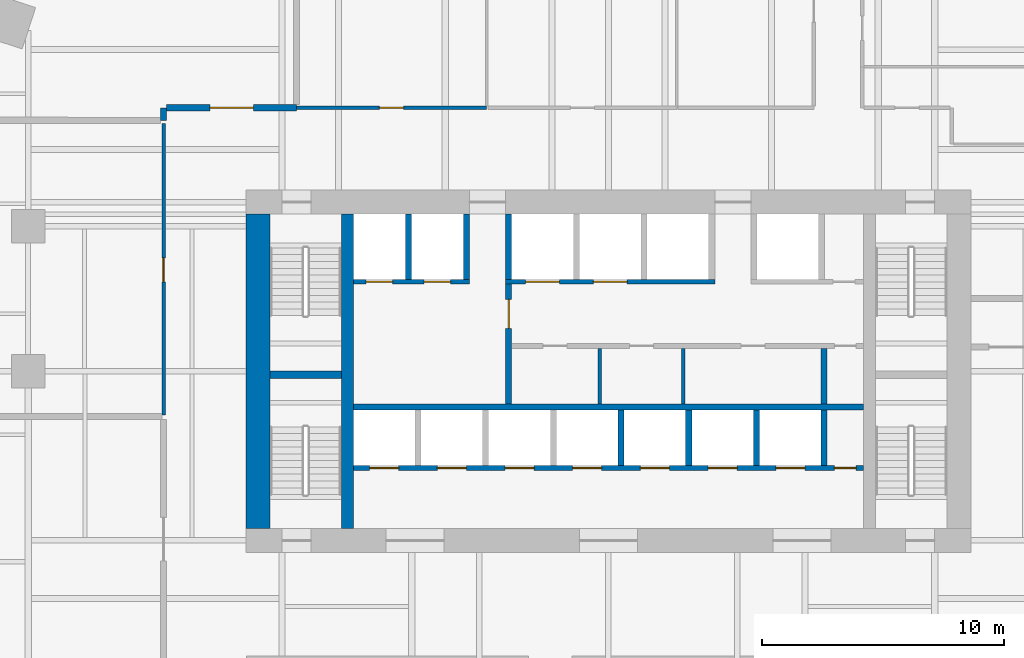
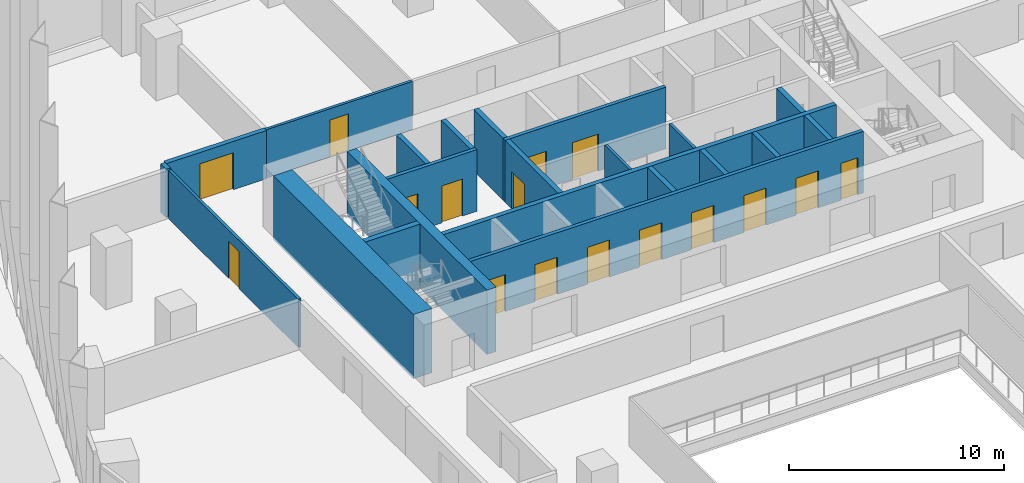
# One storey, part 25 of 51: 22 walls, 16 doors, 16 openings.
"""IFC4 building model written with IfcOpenShell, lengths in metres."""

from ifc_helpers import new_model, si_unit, direction, frame, frame_2d, origin, place, context, subcontext, project, spatial, rectangle, extrude, material, layer, layer_set, type_object, element, fill, save


model = new_model("IFC4")

# Units and contexts
model_context = context("Model", 3, precision=1e-05, world=origin(), true_north=direction((0.0, 1.0)))
body_context = subcontext(model_context, "Body", "Model", "MODEL_VIEW")
ifc_project = project(units=[si_unit("LENGTHUNIT", "METRE"), si_unit("AREAUNIT", "SQUARE_METRE"), si_unit("VOLUMEUNIT", "CUBIC_METRE"), si_unit("PLANEANGLEUNIT", "RADIAN"), si_unit("MASSUNIT", "GRAM", prefix="KILO")], contexts=[model_context])

# Site, building, storey
site_placement = place(None, origin())
site = spatial("IfcSite", under=ifc_project, at=site_placement, CompositionType="ELEMENT")
building_placement = place(site_placement, origin())
building = spatial("IfcBuilding", under=site, at=building_placement, Name="Isthmus Gate Tower", CompositionType="ELEMENT")
storey_placement = place(building_placement, frame((0.0, 0.0, 36.0)))
storey = spatial("IfcBuildingStorey", under=building, at=storey_placement, Name="L06", CompositionType="ELEMENT", Elevation=36.0)

# Wall
ifc_material_1 = material(Name="Double-leaf acoustic stud wall, fire-rated", Category="gypsum")
ifc_layer_1 = layer(ifc_material_1, 0.25)
ifc_layer_set_1 = layer_set([ifc_layer_1], Name="ACOUSTIC WALL 250 60 MIN")
wall_type_1 = type_object("IfcWallType", Name="ACOUSTIC WALL 250 60 MIN", PredefinedType="PARTITIONING", material=ifc_layer_set_1)
wall_1_placement = place(storey_placement, frame((-18.39990234375, 17.881103515625, 0.0), z_axis=(0.0, 0.0, 1.0), x_axis=(0.0, 1.0, 0.0)))
element("IfcWall", 1, at=wall_1_placement, inside=storey, type_object=wall_type_1, Name="L06 Acoustic Wall 250 60 Min", PredefinedType="PARTITIONING", context=body_context, shape_type="SweptSolid", body=[
    extrude(rectangle(XDim=0.518798828125, YDim=0.25, at=frame_2d((0.25927734375, 0.0))), origin(), (0.0, 0.0, 1.0), 2.7412109375),
])

# Wall, opening, door
wall_2_placement = place(storey_placement, frame((-18.27490234375, 18.39990234375, 0.0), z_axis=(0.0, 0.0, 1.0), x_axis=(1.0, 0.0, 0.0)))
wall_2 = element("IfcWall", 2, at=wall_2_placement, inside=storey, type_object=wall_type_1, Name="L06 Acoustic Wall 250 60 Min", PredefinedType="PARTITIONING", context=body_context, shape_type="SweptSolid", body=[
    extrude(rectangle(XDim=5.369873046875, YDim=0.25, at=frame_2d((2.68505859375, 0.0))), origin(), (0.0, 0.0, 1.0), 2.7412109375),
])
opening_1_placement = place(wall_2_placement, frame((1.784912109375, 0.0, 0.0)))
opening_1 = element("IfcOpeningElement", 3, at=opening_1_placement, cuts=wall_2, Name="Opening DT-T1A-01", PredefinedType="OPENING", context=body_context, shape_type="SweptSolid", body=[
    extrude(rectangle(XDim=1.800048828125, YDim=2.10009765625, at=frame_2d((0.89990234375, 1.050048828125))), frame((0.0, 0.135009765625, 0.0), z_axis=(0.0, -1.0, 0.0), x_axis=(1.0, 0.0, 0.0)), (0.0, 0.0, 1.0), 0.27001953125),
])
ifc_material_2 = material(Name="Solid core timber door leaf, fire-rated", Category="wood")
door_type_1 = type_object("IfcDoorType", Name="FIRE DOOR ACOUSTIC ROOM 1800 X 2100 60 MIN", OperationType="DOUBLE_DOOR_DOUBLE_SWING", PredefinedType="DOOR", material=ifc_material_2)
door_1_placement = place(opening_1_placement, origin())
door_1 = element("IfcDoor", 4, at=door_1_placement, inside=storey, type_object=door_type_1, Name="L06 room door", OperationType="DOUBLE_DOOR_DOUBLE_SWING", OverallHeight=2.10009765625, OverallWidth=1.800048828125, PredefinedType="DOOR", context=body_context, shape_type="SweptSolid", body=[
    extrude(rectangle(XDim=1.800048828125, YDim=2.10009765625, at=frame_2d((0.89990234375, 1.050048828125))), frame((0.0, 0.02490234375, 0.0), z_axis=(0.0, -1.0, 0.0), x_axis=(1.0, 0.0, 0.0)), (0.0, 0.0, 1.0), 0.050048828125),
])
fill(opening_1, door_1)

ifc_material_3 = material(Name="Gypsum board on steel studs, fire-rated", Category="steel")
ifc_layer_2 = layer(ifc_material_3, 0.14990234375)
ifc_layer_set_2 = layer_set([ifc_layer_2], Name="CORRIDOR WALL 150 60 MIN")
wall_type_2 = type_object("IfcWallType", Name="CORRIDOR WALL 150 60 MIN", PredefinedType="PARTITIONING", material=ifc_layer_set_2)
wall_3_placement = place(storey_placement, frame((-12.905029296875, 18.39990234375, 0.0), z_axis=(0.0, 0.0, 1.0), x_axis=(1.0, 0.0, 0.0)))
wall_3 = element("IfcWall", 5, at=wall_3_placement, inside=storey, type_object=wall_type_2, Name="L06 Corridor Wall 150 60 Min", PredefinedType="PARTITIONING", context=body_context, shape_type="SweptSolid", body=[
    extrude(rectangle(XDim=7.867919921875, YDim=0.14990234375, at=frame_2d((3.93408203125, 0.0))), origin(), (0.0, 0.0, 1.0), 2.7412109375),
])
opening_2_placement = place(wall_3_placement, frame((3.43408203125, 0.0, 0.0)))
opening_2 = element("IfcOpeningElement", 6, at=opening_2_placement, cuts=wall_3, Name="Opening DT-T1A-02", PredefinedType="OPENING", context=body_context, shape_type="SweptSolid", body=[
    extrude(rectangle(XDim=1.0, YDim=2.10009765625, at=frame_2d((0.5, 1.050048828125))), frame((0.0, 0.0849609375, 0.0), z_axis=(0.0, -1.0, 0.0), x_axis=(1.0, 0.0, 0.0)), (0.0, 0.0, 1.0), 0.169921875),
])
ifc_material_4 = material(Name="Solid core timber door leaf, fire-rated", Category="wood")
door_type_2 = type_object("IfcDoorType", Name="FIRE DOOR ROOM 1000 X 2100 60 MIN", OperationType="SINGLE_SWING_LEFT", PredefinedType="DOOR", material=ifc_material_4)
door_2_placement = place(opening_2_placement, origin())
door_2 = element("IfcDoor", 7, at=door_2_placement, inside=storey, type_object=door_type_2, Name="L06 room door", OperationType="SINGLE_SWING_RIGHT", OverallHeight=2.10009765625, OverallWidth=1.0, PredefinedType="DOOR", context=body_context, shape_type="SweptSolid", body=[
    extrude(rectangle(XDim=1.0, YDim=2.10009765625, at=frame_2d((0.5, 1.050048828125))), frame((0.0, 0.02490234375, 0.0), z_axis=(0.0, -1.0, 0.0), x_axis=(1.0, 0.0, 0.0)), (0.0, 0.0, 1.0), 0.050048828125),
])
fill(opening_2, door_2)

wall_4_placement = place(storey_placement, frame((-18.39990234375, 5.679931640625, 0.0), z_axis=(0.0, 0.0, 1.0), x_axis=(0.0, 1.0, 0.0)))
wall_4 = element("IfcWall", 8, at=wall_4_placement, inside=storey, type_object=wall_type_2, Name="L06 Corridor Wall 150 60 Min", PredefinedType="PARTITIONING", context=body_context, shape_type="SweptSolid", body=[
    extrude(rectangle(XDim=12.076171875, YDim=0.14990234375, at=frame_2d((6.0380859375, 0.0))), origin(), (0.0, 0.0, 1.0), 2.7412109375),
])
opening_3_placement = place(wall_4_placement, frame((5.512939453125, 0.0, 0.0)))
opening_3 = element("IfcOpeningElement", 9, at=opening_3_placement, cuts=wall_4, Name="Opening DT-T1A-07", PredefinedType="OPENING", context=body_context, shape_type="SweptSolid", body=[
    extrude(rectangle(XDim=1.0, YDim=2.10009765625, at=frame_2d((0.5, 1.050048828125))), frame((0.0, 0.0849609375, 0.0), z_axis=(0.0, -1.0, 0.0), x_axis=(1.0, 0.0, 0.0)), (0.0, 0.0, 1.0), 0.169921875),
])
door_3_placement = place(opening_3_placement, origin())
door_3 = element("IfcDoor", 10, at=door_3_placement, inside=storey, type_object=door_type_2, Name="L06 room door", OperationType="SINGLE_SWING_RIGHT", OverallHeight=2.10009765625, OverallWidth=1.0, PredefinedType="DOOR", context=body_context, shape_type="SweptSolid", body=[
    extrude(rectangle(XDim=1.0, YDim=2.10009765625, at=frame_2d((0.5, 1.050048828125))), frame((0.0, 0.02490234375, 0.0), z_axis=(0.0, -1.0, 0.0), x_axis=(1.0, 0.0, 0.0)), (0.0, 0.0, 1.0), 0.050048828125),
])
fill(opening_3, door_3)

ifc_material_5 = material(Name="Fire-rated blockwork masonry, 15 MPa", Category="masonry")
ifc_layer_3 = layer(ifc_material_5, 0.25)
ifc_layer_set_3 = layer_set([ifc_layer_3], Name="FIRE-FIGHTING LOBBY WALL 250 90 MIN")
wall_type_3 = type_object("IfcWallType", Name="FIRE-FIGHTING LOBBY WALL 250 90 MIN", PredefinedType="PARTITIONING", material=ifc_layer_set_3)
wall_5_placement = place(storey_placement, frame((-4.125, 6.14990234375, 0.0), z_axis=(0.0, 0.0, 1.0), x_axis=(0.0, 1.0, 0.0)))
wall_5 = element("IfcWall", 11, at=wall_5_placement, inside=storey, type_object=wall_type_3, Name="L06 FIRE-FIGHTING LOBBY WALL 250 90 MIN", PredefinedType="PARTITIONING", context=body_context, shape_type="SweptSolid", body=[
    extrude(rectangle(XDim=4.9501953125, YDim=0.25, at=frame_2d((2.47509765625, 0.0))), origin(), (0.0, 0.0, 1.0), 3.5),
])
opening_4_placement = place(wall_5_placement, frame((3.125, 0.0, 0.0)))
opening_4 = element("IfcOpeningElement", 12, at=opening_4_placement, cuts=wall_5, Name="Opening DC-A03-01", PredefinedType="OPENING", context=body_context, shape_type="SweptSolid", body=[
    extrude(rectangle(XDim=1.199951171875, YDim=2.10009765625, at=frame_2d((0.60009765625, 1.050048828125))), frame((0.0, 0.135009765625, 0.0), z_axis=(0.0, -1.0, 0.0), x_axis=(1.0, 0.0, 0.0)), (0.0, 0.0, 1.0), 0.27001953125),
])
ifc_material_6 = material(Name="Steel door leaf, fire-rated", Category="steel")
door_type_3 = type_object("IfcDoorType", Name="LOBBY FIRE DOOR 1200 X 2100 90 MIN", OperationType="DOUBLE_DOOR_SINGLE_SWING", PredefinedType="DOOR", material=ifc_material_6)
door_4_placement = place(opening_4_placement, origin())
door_4 = element("IfcDoor", 13, at=door_4_placement, inside=storey, type_object=door_type_3, Name="Fire-fighting Lobby Door", OperationType="SINGLE_SWING_LEFT", OverallHeight=2.10009765625, OverallWidth=1.199951171875, PredefinedType="DOOR", context=body_context, shape_type="SweptSolid", body=[
    extrude(rectangle(XDim=1.199951171875, YDim=2.10009765625, at=frame_2d((0.60009765625, 1.050048828125))), frame((0.0, 0.02490234375, 0.0), z_axis=(0.0, -1.0, 0.0), x_axis=(1.0, 0.0, 0.0)), (0.0, 0.0, 1.0), 0.050048828125),
])
fill(opening_4, door_4)

# Walls
ifc_material_7 = material(Name="Concrete f'c 70 MPa", Category="concrete")
ifc_layer_4 = layer(ifc_material_7, 0.5)
ifc_layer_set_4 = layer_set([ifc_layer_4], Name="RC CORE SPINE WALL 500 F'C 70")
wall_type_4 = type_object("IfcWallType", Name="RC CORE SPINE WALL 500 F'C 70", PredefinedType="SOLIDWALL", material=ifc_layer_set_4)
wall_6_placement = place(storey_placement, frame((-10.800048828125, 1.0, -0.14990234375), z_axis=(0.0, 0.0, 1.0), x_axis=(0.0, 1.0, 0.0)))
element("IfcWall", 14, at=wall_6_placement, inside=storey, type_object=wall_type_4, Name="str-corewall-L06-SPW", PredefinedType="SOLIDWALL", context=body_context, shape_type="SweptSolid", body=[
    extrude(rectangle(XDim=13.0, YDim=0.5, at=frame_2d((6.5, 0.0))), origin(), (0.0, 0.0, 1.0), 3.64990234375),
])
ifc_material_8 = material(Name="Concrete f'c 70 MPa", Category="concrete")
ifc_layer_5 = layer(ifc_material_8, 1.0)
ifc_layer_set_5 = layer_set([ifc_layer_5], Name="RC CORE WALL 1000 F'C 70")
wall_type_5 = type_object("IfcWallType", Name="RC CORE WALL 1000 F'C 70", PredefinedType="SOLIDWALL", material=ifc_layer_set_5)
wall_7_placement = place(storey_placement, frame((-14.5, 1.0, -0.14990234375), z_axis=(0.0, 0.0, 1.0), x_axis=(0.0, 1.0, 0.0)))
element("IfcWall", 15, at=wall_7_placement, inside=storey, type_object=wall_type_5, Name="str-corewall-L06-W", PredefinedType="SOLIDWALL", context=body_context, shape_type="SweptSolid", body=[
    extrude(rectangle(XDim=13.0, YDim=1.0, at=frame_2d((6.5, 0.0))), origin(), (0.0, 0.0, 1.0), 3.64990234375),
])
ifc_material_9 = material(Name="Gypsum board on steel studs, fire-rated", Category="steel")
ifc_layer_6 = layer(ifc_material_9, 0.14990234375)
ifc_layer_set_6 = layer_set([ifc_layer_6], Name="ROOM PARTITION 150 60 MIN")
wall_type_6 = type_object("IfcWallType", Name="ROOM PARTITION 150 60 MIN", PredefinedType="PARTITIONING", material=ifc_layer_set_6)
for number, where, z_axis, x_axis, name in (
    (16, (-0.35009765625, 6.14990234375, 0.0), (0.0, 0.0, 1.0), (0.0, 1.0, 0.0), "L06 ROOM PARTITION 150 60 MIN"),
    (17, (3.10009765625, 6.14990234375, 0.0), (0.0, 0.0, 1.0), (0.0, 1.0, 0.0), "L06 ROOM PARTITION 150 60 MIN"),
):
    element("IfcWall", number, at=place(storey_placement, frame(where, z_axis=z_axis, x_axis=x_axis)), inside=storey, type_object=wall_type_6, Name=name, PredefinedType="PARTITIONING", context=body_context, shape_type="SweptSolid", body=[
        extrude(rectangle(XDim=2.300048828125, YDim=0.14990234375, at=frame_2d((1.14990234375, 0.0))), origin(), (0.0, 0.0, 1.0), 3.5),
    ])

# Wall, openings, doors
ifc_material_10 = material(Name="Fire-rated blockwork masonry, 15 MPa", Category="masonry")
ifc_layer_7 = layer(ifc_material_10, 0.199951171875)
ifc_layer_set_7 = layer_set([ifc_layer_7], Name="SHAFT FRONT WALL 200 120 MIN")
wall_type_7 = type_object("IfcWallType", Name="SHAFT FRONT WALL 200 120 MIN", PredefinedType="PARTITIONING", material=ifc_layer_set_7)
wall_8_placement = place(storey_placement, frame((-10.550048828125, 3.5, 0.0), z_axis=(0.0, 0.0, 1.0), x_axis=(1.0, 0.0, 0.0)))
wall_8 = element("IfcWall", 18, at=wall_8_placement, inside=storey, type_object=wall_type_7, Name="L06 SHAFT FRONT WALL 200 120 MIN", PredefinedType="PARTITIONING", context=body_context, shape_type="SweptSolid", body=[
    extrude(rectangle(XDim=21.10009765625, YDim=0.199951171875, at=frame_2d((10.550048828125, 0.0))), origin(), (0.0, 0.0, 1.0), 3.5),
])
opening_5_placement = place(wall_8_placement, frame((0.675048828125, 0.0, 0.0)))
opening_5 = element("IfcOpeningElement", 19, at=opening_5_placement, cuts=wall_8, Name="Opening LD-LA1", PredefinedType="OPENING", context=body_context, shape_type="SweptSolid", body=[
    extrude(rectangle(XDim=1.199951171875, YDim=2.10009765625, at=frame_2d((0.60009765625, 1.050048828125))), frame((0.0, 0.10986328125, 0.0), z_axis=(0.0, -1.0, 0.0), x_axis=(1.0, 0.0, 0.0)), (0.0, 0.0, 1.0), 0.219970703125),
])
opening_6_placement = place(wall_8_placement, frame((3.47509765625, 0.0, 0.0)))
opening_6 = element("IfcOpeningElement", 20, at=opening_6_placement, cuts=wall_8, Name="Opening LD-LA2", PredefinedType="OPENING", context=body_context, shape_type="SweptSolid", body=[
    extrude(rectangle(XDim=1.199951171875, YDim=2.10009765625, at=frame_2d((0.60009765625, 1.050048828125))), frame((0.0, 0.10986328125, 0.0), z_axis=(0.0, -1.0, 0.0), x_axis=(1.0, 0.0, 0.0)), (0.0, 0.0, 1.0), 0.219970703125),
])
opening_7_placement = place(wall_8_placement, frame((6.27490234375, 0.0, 0.0)))
opening_7 = element("IfcOpeningElement", 21, at=opening_7_placement, cuts=wall_8, Name="Opening LD-LA3", PredefinedType="OPENING", context=body_context, shape_type="SweptSolid", body=[
    extrude(rectangle(XDim=1.199951171875, YDim=2.10009765625, at=frame_2d((0.60009765625, 1.050048828125))), frame((0.0, 0.10986328125, 0.0), z_axis=(0.0, -1.0, 0.0), x_axis=(1.0, 0.0, 0.0)), (0.0, 0.0, 1.0), 0.219970703125),
])
opening_8_placement = place(wall_8_placement, frame((9.074951171875, 0.0, 0.0)))
opening_8 = element("IfcOpeningElement", 22, at=opening_8_placement, cuts=wall_8, Name="Opening LD-LA4", PredefinedType="OPENING", context=body_context, shape_type="SweptSolid", body=[
    extrude(rectangle(XDim=1.199951171875, YDim=2.10009765625, at=frame_2d((0.60009765625, 1.050048828125))), frame((0.0, 0.10986328125, 0.0), z_axis=(0.0, -1.0, 0.0), x_axis=(1.0, 0.0, 0.0)), (0.0, 0.0, 1.0), 0.219970703125),
])
opening_9_placement = place(wall_8_placement, frame((11.875, 0.0, 0.0)))
opening_9 = element("IfcOpeningElement", 23, at=opening_9_placement, cuts=wall_8, Name="Opening LD-LA5", PredefinedType="OPENING", context=body_context, shape_type="SweptSolid", body=[
    extrude(rectangle(XDim=1.199951171875, YDim=2.10009765625, at=frame_2d((0.60009765625, 1.050048828125))), frame((0.0, 0.10986328125, 0.0), z_axis=(0.0, -1.0, 0.0), x_axis=(1.0, 0.0, 0.0)), (0.0, 0.0, 1.0), 0.219970703125),
])
opening_10_placement = place(wall_8_placement, frame((14.675048828125, 0.0, 0.0)))
opening_10 = element("IfcOpeningElement", 24, at=opening_10_placement, cuts=wall_8, Name="Opening LD-LA6", PredefinedType="OPENING", context=body_context, shape_type="SweptSolid", body=[
    extrude(rectangle(XDim=1.199951171875, YDim=2.10009765625, at=frame_2d((0.60009765625, 1.050048828125))), frame((0.0, 0.10986328125, 0.0), z_axis=(0.0, -1.0, 0.0), x_axis=(1.0, 0.0, 0.0)), (0.0, 0.0, 1.0), 0.219970703125),
])
opening_11_placement = place(wall_8_placement, frame((17.47509765625, 0.0, 0.0)))
opening_11 = element("IfcOpeningElement", 25, at=opening_11_placement, cuts=wall_8, Name="Opening LD-LA7", PredefinedType="OPENING", context=body_context, shape_type="SweptSolid", body=[
    extrude(rectangle(XDim=1.199951171875, YDim=2.10009765625, at=frame_2d((0.60009765625, 1.050048828125))), frame((0.0, 0.10986328125, 0.0), z_axis=(0.0, -1.0, 0.0), x_axis=(1.0, 0.0, 0.0)), (0.0, 0.0, 1.0), 0.219970703125),
])
opening_12_placement = place(wall_8_placement, frame((19.89990234375, 0.0, 0.0)))
opening_12 = element("IfcOpeningElement", 26, at=opening_12_placement, cuts=wall_8, Name="Opening DC-A03-02", PredefinedType="OPENING", context=body_context, shape_type="SweptSolid", body=[
    extrude(rectangle(XDim=0.89990234375, YDim=2.10009765625, at=frame_2d((0.449951171875, 1.050048828125))), frame((0.0, 0.10986328125, 0.0), z_axis=(0.0, -1.0, 0.0), x_axis=(1.0, 0.0, 0.0)), (0.0, 0.0, 1.0), 0.219970703125),
])
ifc_material_11 = material(Name="Stainless steel sliding leaf", Category="steel")
door_type_4 = type_object("IfcDoorType", Name="LIFT LANDING FIRE DOOR 1200 X 2100 90 MIN", OperationType="DOUBLE_DOOR_SLIDING", PredefinedType="DOOR", material=ifc_material_11)
door_5_placement = place(opening_5_placement, origin())
door_5 = element("IfcDoor", 27, at=door_5_placement, inside=storey, type_object=door_type_4, Name="Lift Landing Door LA1", OperationType="DOUBLE_DOOR_SLIDING", OverallHeight=2.10009765625, OverallWidth=1.199951171875, PredefinedType="DOOR", context=body_context, shape_type="SweptSolid", body=[
    extrude(rectangle(XDim=1.199951171875, YDim=2.10009765625, at=frame_2d((0.60009765625, 1.050048828125))), frame((0.0, 0.02490234375, 0.0), z_axis=(0.0, -1.0, 0.0), x_axis=(1.0, 0.0, 0.0)), (0.0, 0.0, 1.0), 0.050048828125),
])
fill(opening_5, door_5)
door_6_placement = place(opening_6_placement, origin())
door_6 = element("IfcDoor", 28, at=door_6_placement, inside=storey, type_object=door_type_4, Name="Lift Landing Door LA2", OperationType="DOUBLE_DOOR_SLIDING", OverallHeight=2.10009765625, OverallWidth=1.199951171875, PredefinedType="DOOR", context=body_context, shape_type="SweptSolid", body=[
    extrude(rectangle(XDim=1.199951171875, YDim=2.10009765625, at=frame_2d((0.60009765625, 1.050048828125))), frame((0.0, 0.02490234375, 0.0), z_axis=(0.0, -1.0, 0.0), x_axis=(1.0, 0.0, 0.0)), (0.0, 0.0, 1.0), 0.050048828125),
])
fill(opening_6, door_6)
door_7_placement = place(opening_7_placement, origin())
door_7 = element("IfcDoor", 29, at=door_7_placement, inside=storey, type_object=door_type_4, Name="Lift Landing Door LA3", OperationType="DOUBLE_DOOR_SLIDING", OverallHeight=2.10009765625, OverallWidth=1.199951171875, PredefinedType="DOOR", context=body_context, shape_type="SweptSolid", body=[
    extrude(rectangle(XDim=1.199951171875, YDim=2.10009765625, at=frame_2d((0.60009765625, 1.050048828125))), frame((0.0, 0.02490234375, 0.0), z_axis=(0.0, -1.0, 0.0), x_axis=(1.0, 0.0, 0.0)), (0.0, 0.0, 1.0), 0.050048828125),
])
fill(opening_7, door_7)
door_8_placement = place(opening_8_placement, origin())
door_8 = element("IfcDoor", 30, at=door_8_placement, inside=storey, type_object=door_type_4, Name="Lift Landing Door LA4", OperationType="DOUBLE_DOOR_SLIDING", OverallHeight=2.10009765625, OverallWidth=1.199951171875, PredefinedType="DOOR", context=body_context, shape_type="SweptSolid", body=[
    extrude(rectangle(XDim=1.199951171875, YDim=2.10009765625, at=frame_2d((0.60009765625, 1.050048828125))), frame((0.0, 0.02490234375, 0.0), z_axis=(0.0, -1.0, 0.0), x_axis=(1.0, 0.0, 0.0)), (0.0, 0.0, 1.0), 0.050048828125),
])
fill(opening_8, door_8)
door_9_placement = place(opening_9_placement, origin())
door_9 = element("IfcDoor", 31, at=door_9_placement, inside=storey, type_object=door_type_4, Name="Lift Landing Door LA5", OperationType="DOUBLE_DOOR_SLIDING", OverallHeight=2.10009765625, OverallWidth=1.199951171875, PredefinedType="DOOR", context=body_context, shape_type="SweptSolid", body=[
    extrude(rectangle(XDim=1.199951171875, YDim=2.10009765625, at=frame_2d((0.60009765625, 1.050048828125))), frame((0.0, 0.02490234375, 0.0), z_axis=(0.0, -1.0, 0.0), x_axis=(1.0, 0.0, 0.0)), (0.0, 0.0, 1.0), 0.050048828125),
])
fill(opening_9, door_9)
door_10_placement = place(opening_10_placement, origin())
door_10 = element("IfcDoor", 32, at=door_10_placement, inside=storey, type_object=door_type_4, Name="Lift Landing Door LA6", OperationType="DOUBLE_DOOR_SLIDING", OverallHeight=2.10009765625, OverallWidth=1.199951171875, PredefinedType="DOOR", context=body_context, shape_type="SweptSolid", body=[
    extrude(rectangle(XDim=1.199951171875, YDim=2.10009765625, at=frame_2d((0.60009765625, 1.050048828125))), frame((0.0, 0.02490234375, 0.0), z_axis=(0.0, -1.0, 0.0), x_axis=(1.0, 0.0, 0.0)), (0.0, 0.0, 1.0), 0.050048828125),
])
fill(opening_10, door_10)
door_11_placement = place(opening_11_placement, origin())
door_11 = element("IfcDoor", 33, at=door_11_placement, inside=storey, type_object=door_type_4, Name="Lift Landing Door LA7", OperationType="DOUBLE_DOOR_SLIDING", OverallHeight=2.10009765625, OverallWidth=1.199951171875, PredefinedType="DOOR", context=body_context, shape_type="SweptSolid", body=[
    extrude(rectangle(XDim=1.199951171875, YDim=2.10009765625, at=frame_2d((0.60009765625, 1.050048828125))), frame((0.0, 0.02490234375, 0.0), z_axis=(0.0, -1.0, 0.0), x_axis=(1.0, 0.0, 0.0)), (0.0, 0.0, 1.0), 0.050048828125),
])
fill(opening_11, door_11)
ifc_material_12 = material(Name="Steel door leaf, fire-rated", Category="steel")
door_type_5 = type_object("IfcDoorType", Name="RISER FIRE DOOR 900 X 2100 90 MIN", OperationType="SINGLE_SWING_LEFT", PredefinedType="DOOR", material=ifc_material_12)
door_12_placement = place(opening_12_placement, origin())
door_12 = element("IfcDoor", 34, at=door_12_placement, inside=storey, type_object=door_type_5, Name="Riser Door", OperationType="SINGLE_SWING_RIGHT", OverallHeight=2.10009765625, OverallWidth=0.89990234375, PredefinedType="DOOR", context=body_context, shape_type="SweptSolid", body=[
    extrude(rectangle(XDim=0.89990234375, YDim=2.10009765625, at=frame_2d((0.449951171875, 1.050048828125))), frame((0.0, 0.02490234375, 0.0), z_axis=(0.0, -1.0, 0.0), x_axis=(1.0, 0.0, 0.0)), (0.0, 0.0, 1.0), 0.050048828125),
])
fill(opening_12, door_12)

wall_9_placement = place(storey_placement, frame((-10.550048828125, 11.199951171875, 0.0), z_axis=(0.0, 0.0, 1.0), x_axis=(1.0, 0.0, 0.0)))
wall_9 = element("IfcWall", 35, at=wall_9_placement, inside=storey, type_object=wall_type_7, Name="L06 SHAFT FRONT WALL 200 120 MIN", PredefinedType="PARTITIONING", context=body_context, shape_type="SweptSolid", body=[
    extrude(rectangle(XDim=4.800048828125, YDim=0.199951171875, at=frame_2d((2.39990234375, 0.0))), origin(), (0.0, 0.0, 1.0), 3.5),
])
opening_13_placement = place(wall_9_placement, frame((0.52490234375, 0.0, 0.0)))
opening_13 = element("IfcOpeningElement", 36, at=opening_13_placement, cuts=wall_9, Name="Opening LD-LF1", PredefinedType="OPENING", context=body_context, shape_type="SweptSolid", body=[
    extrude(rectangle(XDim=1.10009765625, YDim=2.10009765625, at=frame_2d((0.550048828125, 1.050048828125))), frame((0.0, 0.10986328125, 0.0), z_axis=(0.0, -1.0, 0.0), x_axis=(1.0, 0.0, 0.0)), (0.0, 0.0, 1.0), 0.219970703125),
])
opening_14_placement = place(wall_9_placement, frame((2.925048828125, 0.0, 0.0)))
opening_14 = element("IfcOpeningElement", 37, at=opening_14_placement, cuts=wall_9, Name="Opening LD-LF2", PredefinedType="OPENING", context=body_context, shape_type="SweptSolid", body=[
    extrude(rectangle(XDim=1.10009765625, YDim=2.10009765625, at=frame_2d((0.550048828125, 1.050048828125))), frame((0.0, 0.10986328125, 0.0), z_axis=(0.0, -1.0, 0.0), x_axis=(1.0, 0.0, 0.0)), (0.0, 0.0, 1.0), 0.219970703125),
])
ifc_material_13 = material(Name="Stainless steel sliding leaf", Category="steel")
door_type_6 = type_object("IfcDoorType", Name="LIFT LANDING FIRE DOOR 1100 X 2100 90 MIN", OperationType="DOUBLE_DOOR_SLIDING", PredefinedType="DOOR", material=ifc_material_13)
door_13_placement = place(opening_13_placement, origin())
door_13 = element("IfcDoor", 38, at=door_13_placement, inside=storey, type_object=door_type_6, Name="Lift Landing Door LF1", OperationType="DOUBLE_DOOR_SLIDING", OverallHeight=2.10009765625, OverallWidth=1.10009765625, PredefinedType="DOOR", context=body_context, shape_type="SweptSolid", body=[
    extrude(rectangle(XDim=1.10009765625, YDim=2.10009765625, at=frame_2d((0.550048828125, 1.050048828125))), frame((0.0, 0.02490234375, 0.0), z_axis=(0.0, -1.0, 0.0), x_axis=(1.0, 0.0, 0.0)), (0.0, 0.0, 1.0), 0.050048828125),
])
fill(opening_13, door_13)
door_14_placement = place(opening_14_placement, origin())
door_14 = element("IfcDoor", 39, at=door_14_placement, inside=storey, type_object=door_type_6, Name="Lift Landing Door LF2", OperationType="DOUBLE_DOOR_SLIDING", OverallHeight=2.10009765625, OverallWidth=1.10009765625, PredefinedType="DOOR", context=body_context, shape_type="SweptSolid", body=[
    extrude(rectangle(XDim=1.10009765625, YDim=2.10009765625, at=frame_2d((0.550048828125, 1.050048828125))), frame((0.0, 0.02490234375, 0.0), z_axis=(0.0, -1.0, 0.0), x_axis=(1.0, 0.0, 0.0)), (0.0, 0.0, 1.0), 0.050048828125),
])
fill(opening_14, door_14)

wall_10_placement = place(storey_placement, frame((-4.25, 11.199951171875, 0.0), z_axis=(0.0, 0.0, 1.0), x_axis=(1.0, 0.0, 0.0)))
wall_10 = element("IfcWall", 40, at=wall_10_placement, inside=storey, type_object=wall_type_7, Name="L06 SHAFT FRONT WALL 200 120 MIN", PredefinedType="PARTITIONING", context=body_context, shape_type="SweptSolid", body=[
    extrude(rectangle(XDim=8.64990234375, YDim=0.199951171875, at=frame_2d((4.324951171875, 0.0))), origin(), (0.0, 0.0, 1.0), 3.5),
])
opening_15_placement = place(wall_10_placement, frame((0.824951171875, 0.0, 0.0)))
opening_15 = element("IfcOpeningElement", 41, at=opening_15_placement, cuts=wall_10, Name="Opening LD-LV1", PredefinedType="OPENING", context=body_context, shape_type="SweptSolid", body=[
    extrude(rectangle(XDim=1.39990234375, YDim=2.10009765625, at=frame_2d((0.699951171875, 1.050048828125))), frame((0.0, 0.10986328125, 0.0), z_axis=(0.0, -1.0, 0.0), x_axis=(1.0, 0.0, 0.0)), (0.0, 0.0, 1.0), 0.219970703125),
])
opening_16_placement = place(wall_10_placement, frame((3.625, 0.0, 0.0)))
opening_16 = element("IfcOpeningElement", 42, at=opening_16_placement, cuts=wall_10, Name="Opening LD-LV2", PredefinedType="OPENING", context=body_context, shape_type="SweptSolid", body=[
    extrude(rectangle(XDim=1.39990234375, YDim=2.10009765625, at=frame_2d((0.699951171875, 1.050048828125))), frame((0.0, 0.10986328125, 0.0), z_axis=(0.0, -1.0, 0.0), x_axis=(1.0, 0.0, 0.0)), (0.0, 0.0, 1.0), 0.219970703125),
])
ifc_material_14 = material(Name="Stainless steel sliding leaf", Category="steel")
door_type_7 = type_object("IfcDoorType", Name="LIFT LANDING FIRE DOOR 1400 X 2100 90 MIN", OperationType="DOUBLE_DOOR_SLIDING", PredefinedType="DOOR", material=ifc_material_14)
door_15_placement = place(opening_15_placement, origin())
door_15 = element("IfcDoor", 43, at=door_15_placement, inside=storey, type_object=door_type_7, Name="Lift Landing Door LV1", OperationType="DOUBLE_DOOR_SLIDING", OverallHeight=2.10009765625, OverallWidth=1.39990234375, PredefinedType="DOOR", context=body_context, shape_type="SweptSolid", body=[
    extrude(rectangle(XDim=1.39990234375, YDim=2.10009765625, at=frame_2d((0.699951171875, 1.050048828125))), frame((0.0, 0.02490234375, 0.0), z_axis=(0.0, -1.0, 0.0), x_axis=(1.0, 0.0, 0.0)), (0.0, 0.0, 1.0), 0.050048828125),
])
fill(opening_15, door_15)
door_16_placement = place(opening_16_placement, origin())
door_16 = element("IfcDoor", 44, at=door_16_placement, inside=storey, type_object=door_type_7, Name="Lift Landing Door LV2", OperationType="DOUBLE_DOOR_SLIDING", OverallHeight=2.10009765625, OverallWidth=1.39990234375, PredefinedType="DOOR", context=body_context, shape_type="SweptSolid", body=[
    extrude(rectangle(XDim=1.39990234375, YDim=2.10009765625, at=frame_2d((0.699951171875, 1.050048828125))), frame((0.0, 0.02490234375, 0.0), z_axis=(0.0, -1.0, 0.0), x_axis=(1.0, 0.0, 0.0)), (0.0, 0.0, 1.0), 0.050048828125),
])
fill(opening_16, door_16)

# Walls
ifc_material_15 = material(Name="Fire-rated blockwork masonry, 15 MPa", Category="masonry")
ifc_layer_8 = layer(ifc_material_15, 0.25)
ifc_layer_set_8 = layer_set([ifc_layer_8], Name="SHAFT WALL 250 120 MIN")
wall_type_8 = type_object("IfcWallType", Name="SHAFT WALL 250 120 MIN", PredefinedType="PARTITIONING", material=ifc_layer_set_8)
wall_11_placement = place(storey_placement, frame((-10.550048828125, 6.02490234375, 0.0), z_axis=(0.0, 0.0, 1.0), x_axis=(1.0, 0.0, 0.0)))
element("IfcWall", 45, at=wall_11_placement, inside=storey, type_object=wall_type_8, Name="L06 SHAFT WALL 250 120 MIN", PredefinedType="PARTITIONING", context=body_context, shape_type="SweptSolid", body=[
    extrude(rectangle(XDim=21.10009765625, YDim=0.25, at=frame_2d((10.550048828125, 0.0))), origin(), (0.0, 0.0, 1.0), 3.5),
])
for number, where, z_axis, x_axis, name in (
    (46, (0.52490234375, 3.60009765625, 0.0), (0.0, 0.0, 1.0), (0.0, 1.0, 0.0), "L06 SHAFT WALL 250 120 MIN"),
    (47, (3.324951171875, 3.60009765625, 0.0), (0.0, 0.0, 1.0), (0.0, 1.0, 0.0), "L06 SHAFT WALL 250 120 MIN"),
    (48, (6.125, 3.60009765625, 0.0), (0.0, 0.0, 1.0), (0.0, 1.0, 0.0), "L06 SHAFT WALL 250 120 MIN"),
    (49, (8.925048828125, 3.60009765625, 0.0), (0.0, 0.0, 1.0), (0.0, 1.0, 0.0), "L06 SHAFT WALL 250 120 MIN"),
):
    element("IfcWall", number, at=place(storey_placement, frame(where, z_axis=z_axis, x_axis=x_axis)), inside=storey, type_object=wall_type_8, Name=name, PredefinedType="PARTITIONING", context=body_context, shape_type="SweptSolid", body=[
        extrude(rectangle(XDim=2.2998046875, YDim=0.25, at=frame_2d((1.14990234375, 0.0))), origin(), (0.0, 0.0, 1.0), 3.5),
    ])
wall_12_placement = place(storey_placement, frame((8.925048828125, 6.14990234375, 0.0), z_axis=(0.0, 0.0, 1.0), x_axis=(0.0, 1.0, 0.0)))
element("IfcWall", 50, at=wall_12_placement, inside=storey, type_object=wall_type_8, Name="L06 SHAFT WALL 250 120 MIN", PredefinedType="PARTITIONING", context=body_context, shape_type="SweptSolid", body=[
    extrude(rectangle(XDim=2.300048828125, YDim=0.25, at=frame_2d((1.14990234375, 0.0))), origin(), (0.0, 0.0, 1.0), 3.5),
])
for number, where, z_axis, x_axis, name in (
    (51, (-8.27490234375, 11.300048828125, 0.0), (0.0, 0.0, 1.0), (0.0, 1.0, 0.0), "L06 SHAFT WALL 250 120 MIN"),
    (52, (-5.875, 11.300048828125, 0.0), (0.0, 0.0, 1.0), (0.0, 1.0, 0.0), "L06 SHAFT WALL 250 120 MIN"),
    (53, (-4.125, 11.300048828125, 0.0), (0.0, 0.0, 1.0), (0.0, 1.0, 0.0), "L06 SHAFT WALL 250 120 MIN"),
):
    element("IfcWall", number, at=place(storey_placement, frame(where, z_axis=z_axis, x_axis=x_axis)), inside=storey, type_object=wall_type_8, Name=name, PredefinedType="PARTITIONING", context=body_context, shape_type="SweptSolid", body=[
        extrude(rectangle(XDim=2.699951171875, YDim=0.25, at=frame_2d((1.35009765625, 0.0))), origin(), (0.0, 0.0, 1.0), 3.5),
    ])
ifc_material_16 = material(Name="Concrete f'c 40 MPa", Category="concrete")
ifc_layer_9 = layer(ifc_material_16, 0.300048828125)
ifc_layer_set_9 = layer_set([ifc_layer_9], Name="STAIR ENCLOSURE WALL 300 180 MIN")
wall_type_9 = type_object("IfcWallType", Name="STAIR ENCLOSURE WALL 300 180 MIN", PredefinedType="SOLIDWALL", material=ifc_layer_set_9)
wall_13_placement = place(storey_placement, frame((-14.0, 7.35009765625, -0.14990234375), z_axis=(0.0, 0.0, 1.0), x_axis=(1.0, 0.0, 0.0)))
element("IfcWall", 54, at=wall_13_placement, inside=storey, type_object=wall_type_9, Name="L06 STAIR ENCLOSURE WALL 300 180 MIN", PredefinedType="SOLIDWALL", context=body_context, shape_type="SweptSolid", body=[
    extrude(rectangle(XDim=2.949951171875, YDim=0.300048828125, at=frame_2d((1.47509765625, 0.0))), origin(), (0.0, 0.0, 1.0), 3.64990234375),
])

save(model, "model.ifc")
